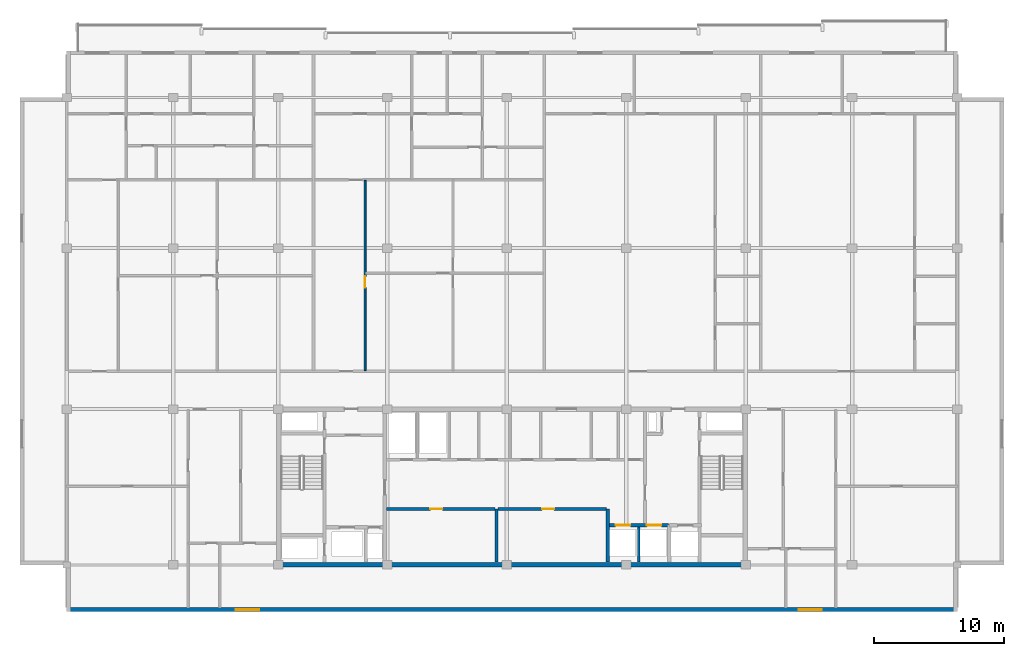
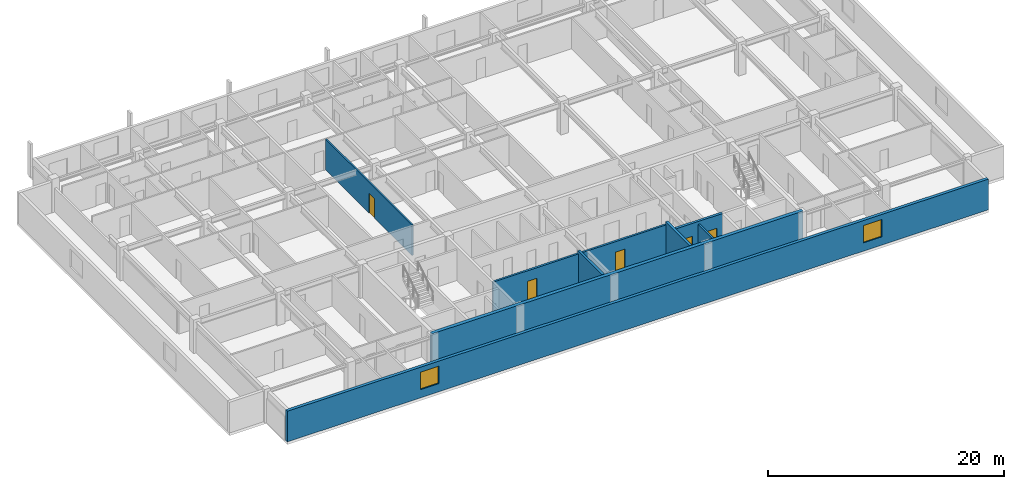
# One storey, part 4 of 11: 9 walls, 5 doors, 2 windows, 7 openings.
"""IFC4 building model written with IfcOpenShell, lengths in metres."""

from ifc_helpers import new_model, si_unit, direction, frame, frame_2d, origin, place, context, subcontext, project, spatial, rectangle, extrude, material, layer, layer_set, type_object, element, fill, save


model = new_model("IFC4")

# Units and contexts
model_context = context("Model", 3, precision=1e-05, world=origin(), true_north=direction((0.0, 1.0)))
body_context = subcontext(model_context, "Body", "Model", "MODEL_VIEW")
ifc_project = project(units=[si_unit("LENGTHUNIT", "METRE"), si_unit("AREAUNIT", "SQUARE_METRE"), si_unit("VOLUMEUNIT", "CUBIC_METRE"), si_unit("PLANEANGLEUNIT", "RADIAN"), si_unit("MASSUNIT", "GRAM", prefix="KILO")], contexts=[model_context])

# Site, building, storey
site_placement = place(None, origin())
site = spatial("IfcSite", under=ifc_project, at=site_placement, CompositionType="ELEMENT")
building_placement = place(site_placement, origin())
building = spatial("IfcBuilding", under=site, at=building_placement, Name="Korimba Cascade Residences", CompositionType="ELEMENT")
storey_placement = place(building_placement, frame((0.0, 0.0, 252.800048828125)))
storey = spatial("IfcBuildingStorey", under=building, at=storey_placement, Name="L73", CompositionType="ELEMENT", Elevation=252.800048828125)

# Wall, openings, windows
ifc_material_1 = material(Name="Precast concrete C40/50", Category="concrete")
ifc_layer_1 = layer(ifc_material_1, 0.300048828125)
ifc_layer_set_1 = layer_set([ifc_layer_1], Name="Precast concrete C40/50")
wall_type_1 = type_object("IfcWallType", Name="EW-STONE-300", PredefinedType="STANDARD", material=ifc_layer_set_1)
wall_1_placement = place(storey_placement, frame((59.800048828125, 51.75, 0.0), z_axis=(0.0, 0.0, 1.0), x_axis=(1.0, 0.0, 0.0)))
wall_1 = element("IfcWall", 1, at=wall_1_placement, inside=storey, type_object=wall_type_1, Name="L73 T1 Perimeter Stone Wall E00", PredefinedType="STANDARD", context=body_context, shape_type="SweptSolid", body=[
    extrude(rectangle(XDim=68.599853515625, YDim=0.300048828125, at=frame_2d((34.2998046875, 0.0))), origin(), (0.0, 0.0, 1.0), 3.169921875),
])
opening_1_placement = place(wall_1_placement, frame((13.02490234375, 0.0, 0.85009765625)))
opening_1 = element("IfcOpeningElement", 2, at=opening_1_placement, cuts=wall_1, Name="Opening W-02", PredefinedType="OPENING", context=body_context, shape_type="SweptSolid", body=[
    extrude(rectangle(XDim=1.800048828125, YDim=1.800048828125, at=frame_2d((0.89990234375, 0.89990234375))), frame((0.0, 0.16015625, 0.0), z_axis=(0.0, -1.0, 0.0), x_axis=(1.0, 0.0, 0.0)), (0.0, 0.0, 1.0), 0.320068359375),
])
opening_2_placement = place(wall_1_placement, frame((56.375, 0.0, 0.85009765625)))
opening_2 = element("IfcOpeningElement", 3, at=opening_2_placement, cuts=wall_1, Name="Opening W-02", PredefinedType="OPENING", context=body_context, shape_type="SweptSolid", body=[
    extrude(rectangle(XDim=1.800048828125, YDim=1.800048828125, at=frame_2d((0.89990234375, 0.89990234375))), frame((0.0, 0.16015625, 0.0), z_axis=(0.0, -1.0, 0.0), x_axis=(1.0, 0.0, 0.0)), (0.0, 0.0, 1.0), 0.320068359375),
])
ifc_material_2 = material(Name="Double-Glazed Aluminium Window", Category="aluminium")
window_type = type_object("IfcWindowType", Name="WIN-BED-1800", PartitioningType="SINGLE_PANEL", PredefinedType="WINDOW", material=ifc_material_2)
window_1_placement = place(opening_1_placement, origin())
window_1 = element("IfcWindow", 4, at=window_1_placement, inside=storey, type_object=window_type, Name="L73 T1 South Corner Bedroom Window 1", OverallHeight=1.800048828125, OverallWidth=1.800048828125, PartitioningType="SINGLE_PANEL", PredefinedType="WINDOW", context=body_context, shape_type="SweptSolid", body=[
    extrude(rectangle(XDim=1.800048828125, YDim=1.800048828125, at=frame_2d((0.89990234375, 0.89990234375))), frame((0.0, 0.030029296875, 0.0), z_axis=(0.0, -1.0, 0.0), x_axis=(1.0, 0.0, 0.0)), (0.0, 0.0, 1.0), 0.06005859375),
])
fill(opening_1, window_1)
window_2_placement = place(opening_2_placement, origin())
window_2 = element("IfcWindow", 5, at=window_2_placement, inside=storey, type_object=window_type, Name="L73 T1 South Corner Bedroom Window 2", OverallHeight=1.800048828125, OverallWidth=1.800048828125, PartitioningType="SINGLE_PANEL", PredefinedType="WINDOW", context=body_context, shape_type="SweptSolid", body=[
    extrude(rectangle(XDim=1.800048828125, YDim=1.800048828125, at=frame_2d((0.89990234375, 0.89990234375))), frame((0.0, 0.030029296875, 0.0), z_axis=(0.0, -1.0, 0.0), x_axis=(1.0, 0.0, 0.0)), (0.0, 0.0, 1.0), 0.06005859375),
])
fill(opening_2, window_2)

# Wall
ifc_material_3 = material(Name="Concrete C65/80", Category="concrete")
ifc_layer_2 = layer(ifc_material_3, 0.35009765625)
ifc_layer_set_2 = layer_set([ifc_layer_2], Name="Concrete C65/80")
wall_type_2 = type_object("IfcWallType", Name="WAL-CORE-350", PredefinedType="SHEAR", material=ifc_layer_set_2)
wall_2_placement = place(storey_placement, frame((75.949951171875, 55.199951171875, 0.0), z_axis=(0.0, 0.0, 1.0), x_axis=(1.0, 0.0, 0.0)))
element("IfcWall", 6, at=wall_2_placement, inside=storey, type_object=wall_type_2, Name="L73 Core Shear Wall CW-L73-T1-S", PredefinedType="SHEAR", context=body_context, shape_type="SweptSolid", body=[
    extrude(rectangle(XDim=36.300048828125, YDim=0.35009765625, at=frame_2d((18.14990234375, 0.0))), origin(), (0.0, 0.0, 1.0), 3.449951171875),
])

# Wall, opening, door
ifc_material_4 = material(Name="Insulated Acoustic Stud Partition", Category="gypsum")
ifc_layer_3 = layer(ifc_material_4, 0.14990234375)
ifc_layer_set_3 = layer_set([ifc_layer_3], Name="Insulated Acoustic Stud Partition")
wall_type_3 = type_object("IfcWallType", Name="WAL-PART-150", PredefinedType="PARTITIONING", material=ifc_layer_set_3)
wall_3_placement = place(storey_placement, frame((82.779052734375, 70.159912109375, 0.0), z_axis=(0.0, 0.0, 1.0), x_axis=(0.0, 1.0, 0.0)))
wall_3 = element("IfcWall", 7, at=wall_3_placement, inside=storey, type_object=wall_type_3, Name="L73 Partition Wall WAL-L73-T1-U02-FV", PredefinedType="PARTITIONING", context=body_context, shape_type="SweptSolid", body=[
    extrude(rectangle(XDim=14.650146484375, YDim=0.14990234375, at=frame_2d((7.3251953125, 0.0))), origin(), (0.0, 0.0, 1.0), 3.169921875),
])
opening_3_placement = place(wall_3_placement, frame((6.375, 0.0, 0.0)))
opening_3 = element("IfcOpeningElement", 8, at=opening_3_placement, cuts=wall_3, Name="Opening D-IN2", PredefinedType="OPENING", context=body_context, shape_type="SweptSolid", body=[
    extrude(rectangle(XDim=0.8798828125, YDim=2.06005859375, at=frame_2d((0.43994140625, 1.030029296875))), frame((0.0, 0.0849609375, 0.0), z_axis=(0.0, -1.0, 0.0), x_axis=(1.0, 0.0, 0.0)), (0.0, 0.0, 1.0), 0.169921875),
])
ifc_material_5 = material(Name="Acoustic Timber Bedroom Door", Category="wood")
door_type_1 = type_object("IfcDoorType", Name="DR-INT-880", OperationType="NOTDEFINED", PredefinedType="DOOR", material=ifc_material_5)
door_1_placement = place(opening_3_placement, origin())
door_1 = element("IfcDoor", 9, at=door_1_placement, inside=storey, type_object=door_type_1, Name="L73-T1-U02 Media Lounge Door", OperationType="SINGLE_SWING_LEFT", OverallHeight=2.06005859375, OverallWidth=0.8798828125, PredefinedType="DOOR", context=body_context, shape_type="SweptSolid", body=[
    extrude(rectangle(XDim=0.8798828125, YDim=2.06005859375, at=frame_2d((0.43994140625, 1.030029296875))), frame((0.0, 0.02490234375, 0.0), z_axis=(0.0, -1.0, 0.0), x_axis=(1.0, 0.0, 0.0)), (0.0, 0.0, 1.0), 0.050048828125),
])
fill(opening_3, door_1)

ifc_material_6 = material(Name="Concrete C40/50", Category="concrete")
ifc_layer_4 = layer(ifc_material_6, 0.199951171875)
ifc_layer_set_4 = layer_set([ifc_layer_4], Name="Concrete C40/50")
wall_type_4 = type_object("IfcWallType", Name="WAL-PART-200", PredefinedType="PARTITIONING", material=ifc_layer_set_4)
wall_4_placement = place(storey_placement, frame((84.419921875, 59.5, 0.0), z_axis=(0.0, 0.0, 1.0), x_axis=(1.0, 0.0, 0.0)))
wall_4 = element("IfcWall", 10, at=wall_4_placement, inside=storey, type_object=wall_type_4, Name="L73 Partition Wall CW-L73-T1-B1RN", PredefinedType="PARTITIONING", context=body_context, shape_type="SweptSolid", body=[
    extrude(rectangle(XDim=8.360107421875, YDim=0.199951171875, at=frame_2d((4.18017578125, 0.0))), origin(), (0.0, 0.0, 1.0), 3.169921875),
])
opening_4_placement = place(wall_4_placement, frame((3.39990234375, 0.0, 0.0)))
opening_4 = element("IfcOpeningElement", 11, at=opening_4_placement, cuts=wall_4, Name="Opening D-ST1", PredefinedType="OPENING", context=body_context, shape_type="SweptSolid", body=[
    extrude(rectangle(XDim=0.919921875, YDim=2.080078125, at=frame_2d((0.4599609375, 1.0400390625))), frame((0.0, 0.10986328125, 0.0), z_axis=(0.0, -1.0, 0.0), x_axis=(1.0, 0.0, 0.0)), (0.0, 0.0, 1.0), 0.219970703125),
])
ifc_material_7 = material(Name="Fire-Rated Core Store Door", Category="wood")
door_type_2 = type_object("IfcDoorType", Name="DR-FD60-920", OperationType="NOTDEFINED", PredefinedType="DOOR", material=ifc_material_7)
door_2_placement = place(opening_4_placement, origin())
door_2 = element("IfcDoor", 12, at=door_2_placement, inside=storey, type_object=door_type_2, Name="L73 Resident Storage Door", OperationType="SINGLE_SWING_RIGHT", OverallHeight=2.080078125, OverallWidth=0.919921875, PredefinedType="DOOR", context=body_context, shape_type="SweptSolid", body=[
    extrude(rectangle(XDim=0.919921875, YDim=2.080078125, at=frame_2d((0.4599609375, 1.0400390625))), frame((0.0, 0.02490234375, 0.0), z_axis=(0.0, -1.0, 0.0), x_axis=(1.0, 0.0, 0.0)), (0.0, 0.0, 1.0), 0.050048828125),
])
fill(opening_4, door_2)

wall_5_placement = place(storey_placement, frame((93.02001953125, 59.5, 0.0), z_axis=(0.0, 0.0, 1.0), x_axis=(1.0, 0.0, 0.0)))
wall_5 = element("IfcWall", 13, at=wall_5_placement, inside=storey, type_object=wall_type_4, Name="L73 Partition Wall CW-L73-T1-B2RN", PredefinedType="PARTITIONING", context=body_context, shape_type="SweptSolid", body=[
    extrude(rectangle(XDim=8.35986328125, YDim=0.199951171875, at=frame_2d((4.179931640625, 0.0))), origin(), (0.0, 0.0, 1.0), 3.169921875),
])
opening_5_placement = place(wall_5_placement, frame((3.39990234375, 0.0, 0.0)))
opening_5 = element("IfcOpeningElement", 14, at=opening_5_placement, cuts=wall_5, Name="Opening D-ST1", PredefinedType="OPENING", context=body_context, shape_type="SweptSolid", body=[
    extrude(rectangle(XDim=0.919921875, YDim=2.080078125, at=frame_2d((0.4599609375, 1.0400390625))), frame((0.0, 0.10986328125, 0.0), z_axis=(0.0, -1.0, 0.0), x_axis=(1.0, 0.0, 0.0)), (0.0, 0.0, 1.0), 0.219970703125),
])
door_3_placement = place(opening_5_placement, origin())
door_3 = element("IfcDoor", 15, at=door_3_placement, inside=storey, type_object=door_type_2, Name="L73 Wine Cellar Store Door", OperationType="SINGLE_SWING_LEFT", OverallHeight=2.080078125, OverallWidth=0.919921875, PredefinedType="DOOR", context=body_context, shape_type="SweptSolid", body=[
    extrude(rectangle(XDim=0.919921875, YDim=2.080078125, at=frame_2d((0.4599609375, 1.0400390625))), frame((0.0, 0.02490234375, 0.0), z_axis=(0.0, -1.0, 0.0), x_axis=(1.0, 0.0, 0.0)), (0.0, 0.0, 1.0), 0.050048828125),
])
fill(opening_5, door_3)

# Walls
wall_6_placement = place(storey_placement, frame((103.85009765625, 55.39990234375, 0.0), z_axis=(0.0, 0.0, 1.0), x_axis=(0.0, 1.0, 0.0)))
element("IfcWall", 16, at=wall_6_placement, inside=storey, type_object=wall_type_4, Name="L73 Partition Wall CW-L73-T1-B3D1", PredefinedType="PARTITIONING", context=body_context, shape_type="SweptSolid", body=[
    extrude(rectangle(XDim=2.72021484375, YDim=0.199951171875, at=frame_2d((1.360107421875, 0.0))), origin(), (0.0, 0.0, 1.0), 3.169921875),
])
ifc_material_8 = material(Name="Concrete C50/60", Category="concrete")
ifc_layer_5 = layer(ifc_material_8, 0.25)
ifc_layer_set_5 = layer_set([ifc_layer_5], Name="Concrete C50/60")
wall_type_5 = type_object("IfcWallType", Name="WAL-SHAFT-250", PredefinedType="SHEAR", material=ifc_layer_set_5)
for number, where, z_axis, x_axis, name in (
    (17, (92.89990234375, 55.39990234375, 0.0), (0.0, 0.0, 1.0), (0.0, 1.0, 0.0), "L73 Core Shear Wall CW-L73-T1-B12DIV"),
    (18, (101.47998046875, 55.39990234375, 0.0), (0.0, 0.0, 1.0), (0.0, 1.0, 0.0), "L73 Core Shear Wall CW-L73-T1-B23DIV"),
):
    element("IfcWall", number, at=place(storey_placement, frame(where, z_axis=z_axis, x_axis=x_axis)), inside=storey, type_object=wall_type_5, Name=name, PredefinedType="SHEAR", context=body_context, shape_type="SweptSolid", body=[
        extrude(rectangle(XDim=4.10009765625, YDim=0.25, at=frame_2d((2.050048828125, 0.0))), origin(), (0.0, 0.0, 1.0), 3.449951171875),
    ])

# Wall, openings, doors
wall_7_placement = place(storey_placement, frame((101.550048828125, 58.25, 0.0), z_axis=(0.0, 0.0, 1.0), x_axis=(1.0, 0.0, 0.0)))
wall_7 = element("IfcWall", 19, at=wall_7_placement, inside=storey, type_object=wall_type_5, Name="L73 Core Shear Wall CW-L73-T1-B3N", PredefinedType="SHEAR", context=body_context, shape_type="SweptSolid", body=[
    extrude(rectangle(XDim=4.599853515625, YDim=0.25, at=frame_2d((2.2998046875, 0.0))), origin(), (0.0, 0.0, 1.0), 3.449951171875),
])
opening_6_placement = place(wall_7_placement, frame((0.5400390625, 0.0, 0.0)))
opening_6 = element("IfcOpeningElement", 20, at=opening_6_placement, cuts=wall_7, Name="Opening LD-01", PredefinedType="OPENING", context=body_context, shape_type="SweptSolid", body=[
    extrude(rectangle(XDim=1.1201171875, YDim=2.1201171875, at=frame_2d((0.56005859375, 1.06005859375))), frame((0.0, 0.135009765625, 0.0), z_axis=(0.0, -1.0, 0.0), x_axis=(1.0, 0.0, 0.0)), (0.0, 0.0, 1.0), 0.27001953125),
])
opening_7_placement = place(wall_7_placement, frame((2.93994140625, 0.0, 0.0)))
opening_7 = element("IfcOpeningElement", 21, at=opening_7_placement, cuts=wall_7, Name="Opening LD-01", PredefinedType="OPENING", context=body_context, shape_type="SweptSolid", body=[
    extrude(rectangle(XDim=1.1201171875, YDim=2.1201171875, at=frame_2d((0.56005859375, 1.06005859375))), frame((0.0, 0.135009765625, 0.0), z_axis=(0.0, -1.0, 0.0), x_axis=(1.0, 0.0, 0.0)), (0.0, 0.0, 1.0), 0.27001953125),
])
ifc_material_9 = material(Name="Stainless Steel Lift Landing Sliding Door", Category="steel")
door_type_3 = type_object("IfcDoorType", Name="DR-LIFT-1100", OperationType="NOTDEFINED", PredefinedType="DOOR", material=ifc_material_9)
door_4_placement = place(opening_6_placement, origin())
door_4 = element("IfcDoor", 22, at=door_4_placement, inside=storey, type_object=door_type_3, Name="L73 Lift Landing Door PL-W7", OperationType="SLIDING_TO_LEFT", OverallHeight=2.1201171875, OverallWidth=1.1201171875, PredefinedType="DOOR", context=body_context, shape_type="SweptSolid", body=[
    extrude(rectangle(XDim=1.1201171875, YDim=2.1201171875, at=frame_2d((0.56005859375, 1.06005859375))), frame((0.0, 0.02490234375, 0.0), z_axis=(0.0, -1.0, 0.0), x_axis=(1.0, 0.0, 0.0)), (0.0, 0.0, 1.0), 0.050048828125),
])
fill(opening_6, door_4)
door_5_placement = place(opening_7_placement, origin())
door_5 = element("IfcDoor", 23, at=door_5_placement, inside=storey, type_object=door_type_3, Name="L73 Lift Landing Door PL-W8", OperationType="SLIDING_TO_LEFT", OverallHeight=2.1201171875, OverallWidth=1.1201171875, PredefinedType="DOOR", context=body_context, shape_type="SweptSolid", body=[
    extrude(rectangle(XDim=1.1201171875, YDim=2.1201171875, at=frame_2d((0.56005859375, 1.06005859375))), frame((0.0, 0.02490234375, 0.0), z_axis=(0.0, -1.0, 0.0), x_axis=(1.0, 0.0, 0.0)), (0.0, 0.0, 1.0), 0.050048828125),
])
fill(opening_7, door_5)

save(model, "model.ifc")
